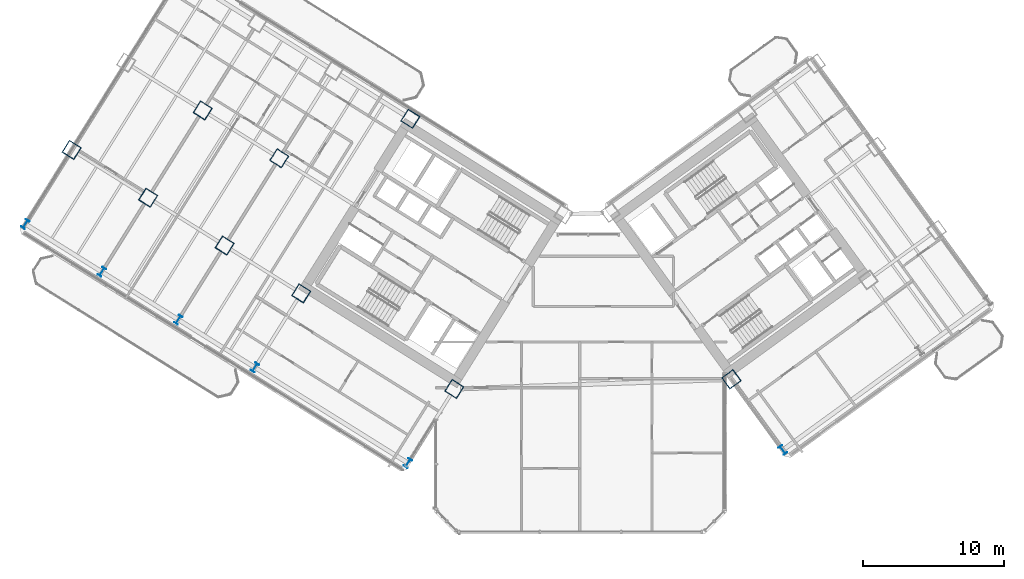
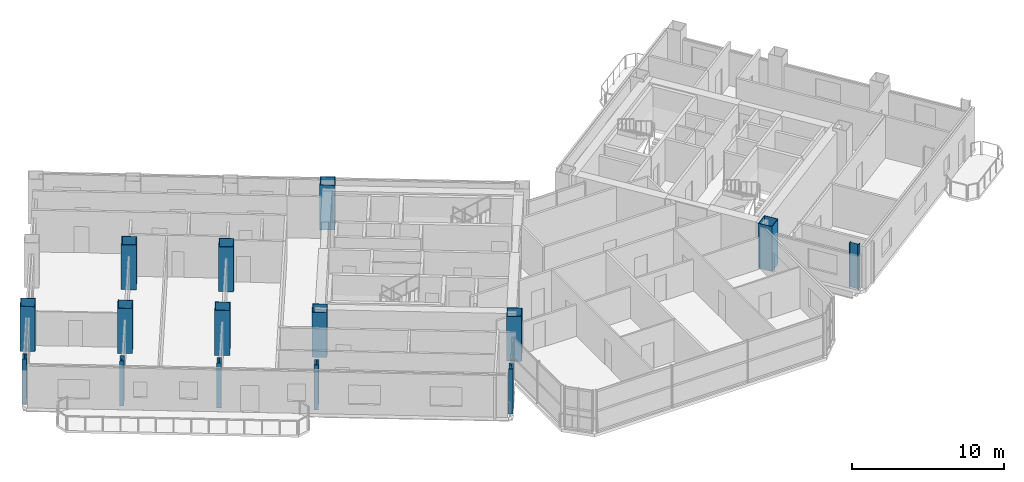
# One storey, part 1 of 28: 15 columns.
"""IFC4 building model written with IfcOpenShell, lengths in metres."""

from ifc_helpers import new_model, si_unit, direction, frame, origin, origin_2d, place, context, subcontext, project, spatial, hollow_rectangle, i_section, extrude, source, transform, mapped, material, material_profile, profile_set, type_object, element, save


model = new_model("IFC4")

# Units and contexts
model_context = context("Model", 3, precision=1e-05, world=origin(), true_north=direction((0.0, 1.0)))
body_context = subcontext(model_context, "Body", "Model", "MODEL_VIEW")
ifc_project = project(units=[si_unit("LENGTHUNIT", "METRE"), si_unit("AREAUNIT", "SQUARE_METRE"), si_unit("VOLUMEUNIT", "CUBIC_METRE"), si_unit("PLANEANGLEUNIT", "RADIAN"), si_unit("MASSUNIT", "GRAM", prefix="KILO")], contexts=[model_context])

# Site, building, storey
site_placement = place(None, origin())
site = spatial("IfcSite", under=ifc_project, at=site_placement, CompositionType="ELEMENT")
building_placement = place(site_placement, origin())
building = spatial("IfcBuilding", under=site, at=building_placement, Name="Tlacorven Tower", CompositionType="ELEMENT")
storey_placement = place(building_placement, frame((0.0, 0.0, 34.800048828125)))
storey = spatial("IfcBuildingStorey", under=building, at=storey_placement, Name="L08", CompositionType="ELEMENT", Elevation=34.800048828125)

# Columns
ifc_material = material(Name="Steel S460M", Category="steel")
ifc_material_profile_1 = material_profile(ifc_material, hollow_rectangle(XDim=1.0, YDim=1.0, WallThickness=0.0400390625, at=origin_2d()), Name="BOX 1000X1000X40")
ifc_profile_set_1 = profile_set([ifc_material_profile_1], Name="Steel S460M")
column_type_1 = type_object("IfcColumnType", Name="COL-TWR-S1", PredefinedType="COLUMN", material=ifc_profile_set_1)
shared_shape_1 = source(origin(), body_context, "Body", "SweptSolid", [
    extrude(hollow_rectangle(XDim=1.0, YDim=1.0, WallThickness=0.0400390625, at=origin_2d()), origin(), (0.0, 0.0, 1.0), 3.599853515625),
])
for number, where, z_axis, x_axis, name in (
    (1, (33.046142578125, 12.0869140625, 0.0), (0.0, 0.0, 1.0), (-0.848048096156, 0.529919264233, 0.0), "L08 column COL-L08-W1-3"),
    (2, (29.927978515625, 31.25146484375, 0.0), (0.0, 0.0, 1.0), (-0.848048096156, 0.529919264233, 0.0), "L08 column COL-L08-W3-1"),
    (3, (22.191162109375, 18.869873046875, 0.0), (0.0, 0.0, 1.0), (-0.848048096156, 0.529919264233, 0.0), "L08 column COL-L08-W3-3"),
    (4, (20.632080078125, 28.4521484375, 0.0), (0.0, 0.0, 1.0), (-0.848048096156, 0.529919264233, 0.0), "L08 column COL-L08-W4-2"),
    (5, (16.763671875, 22.26123046875, 0.0), (0.0, 0.0, 1.0), (-0.848048096156, 0.529919264233, 0.0), "L08 column COL-L08-W4-3"),
    (6, (15.20458984375, 31.843505859375, 0.0), (0.0, 0.0, 1.0), (-0.848048096156, 0.529919264233, 0.0), "L08 column COL-L08-W5-2"),
    (7, (11.336181640625, 25.65283203125, 0.0), (0.0, 0.0, 1.0), (-0.848048096156, 0.529919264233, 0.0), "L08 column COL-L08-W5-3"),
    (8, (5.90869140625, 29.044189453125, 0.0), (0.0, 0.0, 1.0), (-0.848048096156, 0.529919264233, 0.0), "L08 column COL-L08-W6-3"),
    (9, (52.705322265625, 12.7734375, 0.0), (0.0, 0.0, 1.0), (0.809016994375, 0.587785252292, 0.0), "L08 column COL-L08-E1-2"),
):
    element("IfcColumn", number, at=place(storey_placement, frame(where, z_axis=z_axis, x_axis=x_axis)), inside=storey, type_object=column_type_1, Name=name, PredefinedType="COLUMN", context=body_context, shape_type="MappedRepresentation", body=[
        mapped(shared_shape_1, transform((0.0, 0.0, 0.0), scale=1.0)),
    ])
ifc_material_profile_2 = material_profile(ifc_material, i_section(OverallWidth=0.300048828125, OverallDepth=0.64990234375, WebThickness=0.01611328125, FlangeThickness=0.031005859375, at=origin_2d()), Name="HEB 650")
ifc_profile_set_2 = profile_set([ifc_material_profile_2], Name="Steel S460M")
column_type_2 = type_object("IfcColumnType", Name="COL-TWR-P1", PredefinedType="COLUMN", material=ifc_profile_set_2)
shared_shape_2 = source(origin(), body_context, "Body", "SweptSolid", [
    extrude(i_section(OverallWidth=0.300048828125, OverallDepth=0.64990234375, WebThickness=0.01611328125, FlangeThickness=0.031005859375, at=origin_2d()), origin(), (0.0, 0.0, 1.0), 3.599853515625),
])
for number, where, z_axis, x_axis, name in (
    (10, (29.7607421875, 6.8291015625, 0.0), (0.0, 0.0, 1.0), (-0.848048096156, 0.529919264233, 0.0), "L08 column COL-L08-W1-4"),
    (11, (18.905517578125, 13.612060546875, 0.0), (0.0, 0.0, 1.0), (-0.848048096156, 0.529919264233, 0.0), "L08 column COL-L08-W3-4"),
    (12, (13.47802734375, 17.00341796875, 0.0), (0.0, 0.0, 1.0), (-0.848048096156, 0.529919264233, 0.0), "L08 column COL-L08-W4-4"),
    (13, (8.050537109375, 20.39501953125, 0.0), (0.0, 0.0, 1.0), (-0.848048096156, 0.529919264233, 0.0), "L08 column COL-L08-W5-4"),
    (14, (2.623046875, 23.786376953125, 0.0), (0.0, 0.0, 1.0), (-0.848048096156, 0.529919264233, 0.0), "L08 column COL-L08-W6-4"),
    (15, (56.349609375, 7.757568359375, 0.0), (0.0, 0.0, 1.0), (0.809016994375, 0.587785252292, 0.0), "L08 column COL-L08-E1-1"),
):
    element("IfcColumn", number, at=place(storey_placement, frame(where, z_axis=z_axis, x_axis=x_axis)), inside=storey, type_object=column_type_2, Name=name, PredefinedType="COLUMN", context=body_context, shape_type="MappedRepresentation", body=[
        mapped(shared_shape_2, transform((0.0, 0.0, 0.0), scale=1.0)),
    ])

save(model, "model.ifc")
